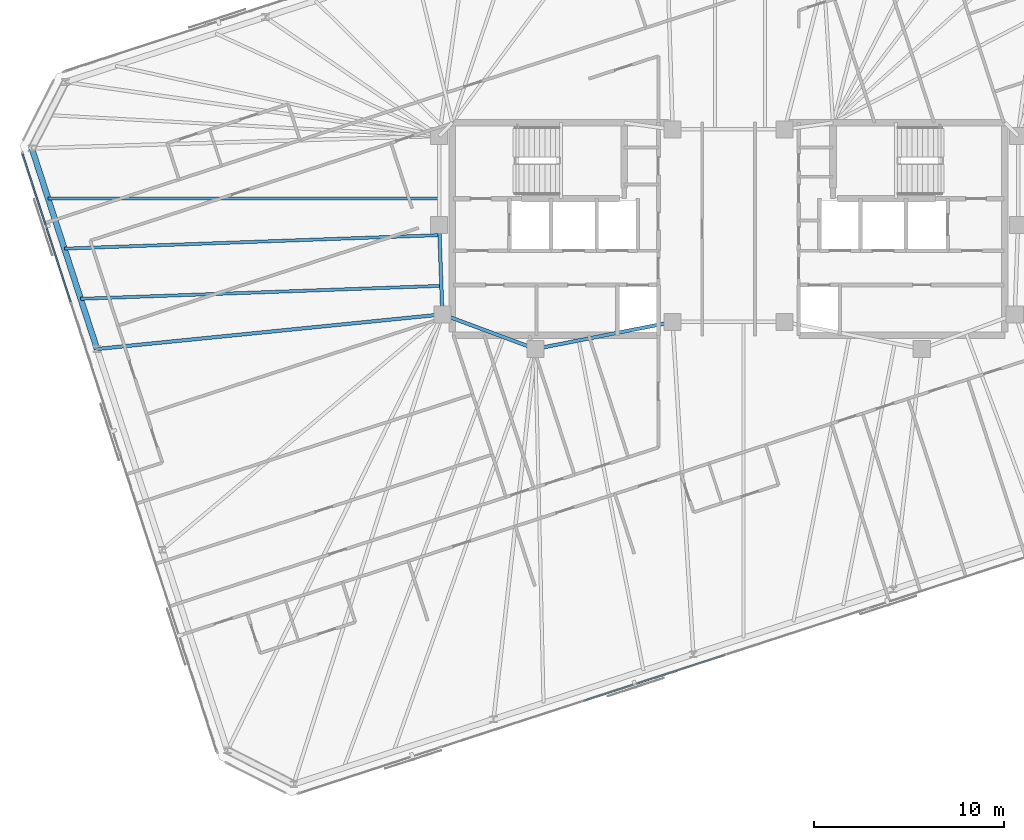
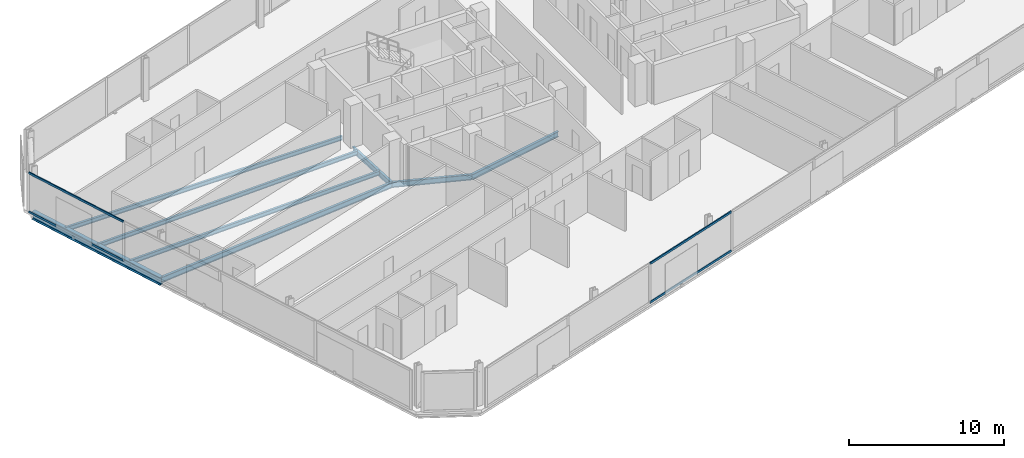
# One storey, part 6 of 19: 8 beams, 4 members, 2 elements without a shape of their own.
"""IFC4 building model written with IfcOpenShell, lengths in metres."""

from ifc_helpers import new_model, si_unit, direction, frame, origin, origin_2d, place, context, subcontext, project, spatial, rectangle, i_section, extrude, material, material_profile, profile_set, type_object, element, aggregate, save


model = new_model("IFC4")

# Units and contexts
model_context = context("Model", 3, precision=1e-05, world=origin(), true_north=direction((0.0, 1.0)))
body_context = subcontext(model_context, "Body", "Model", "MODEL_VIEW")
ifc_project = project(units=[si_unit("LENGTHUNIT", "METRE"), si_unit("AREAUNIT", "SQUARE_METRE"), si_unit("VOLUMEUNIT", "CUBIC_METRE"), si_unit("PLANEANGLEUNIT", "RADIAN"), si_unit("MASSUNIT", "GRAM", prefix="KILO")], contexts=[model_context])

# Site, building, storey
site_placement = place(None, origin())
site = spatial("IfcSite", under=ifc_project, at=site_placement, CompositionType="ELEMENT")
building_placement = place(site_placement, origin())
building = spatial("IfcBuilding", under=site, at=building_placement, Name="Menara Jurai Vektor", CompositionType="ELEMENT")
storey_placement = place(building_placement, frame((0.0, 0.0, 234.35009765625)))
storey = spatial("IfcBuildingStorey", under=building, at=storey_placement, Name="L62", CompositionType="ELEMENT", Elevation=234.35009765625)

# Curtain wall, members
ifc_material_1 = material(Name="Anodised Pale Aluminium & Low-E Double Glazing", Category="aluminium")
curtain_wall_type = type_object("IfcCurtainWallType", Name="CW-BLK4", PredefinedType="NOTDEFINED", material=ifc_material_1)
curtain_wall_1_placement = place(storey_placement, origin())
curtain_wall_1 = element("IfcCurtainWall", 1, at=curtain_wall_1_placement, inside=storey, type_object=curtain_wall_type, Name="Unitised Curtain Wall L62 F01", PredefinedType="NOTDEFINED")
ifc_material_2 = material(Name="Anodised Pale Aluminium Transom", Category="aluminium")
ifc_material_profile_1 = material_profile(ifc_material_2, rectangle(XDim=0.080078125, YDim=0.1650390625, at=origin_2d()), Name="ALU TRN 80x165")
ifc_profile_set_1 = profile_set([ifc_material_profile_1], Name="Anodised Pale Aluminium Transom")
member_type = type_object("IfcMemberType", Name="CW-BLK4-TRN", PredefinedType="USERDEFINED", material=ifc_profile_set_1)
member_1_placement = place(storey_placement, frame((-7.639404296875, -24.86669921875, 0.039794921875), z_axis=(0.951059330237, 0.309008333817, 0.0), x_axis=(-0.309008333817, 0.951059330237, 0.0)))
member_1 = element("IfcMember", 2, at=member_1_placement, type_object=member_type, Name="CW-04 transom 3.1", ObjectType="TRANSOM", PredefinedType="USERDEFINED", context=body_context, shape_type="SweptSolid", body=[
    extrude(rectangle(XDim=0.080078125, YDim=0.1650390625, at=origin_2d()), origin(), (0.0, 0.0, 1.0), 7.8115234375),
])
member_2_placement = place(storey_placement, frame((-7.639404296875, -24.86669921875, 3.0849609375), z_axis=(0.951059330237, 0.309008333817, 0.0), x_axis=(-0.309008333817, 0.951059330237, 0.0)))
member_2 = element("IfcMember", 3, at=member_2_placement, type_object=member_type, Name="CW-04 transom 3.2", ObjectType="TRANSOM", PredefinedType="USERDEFINED", context=body_context, shape_type="SweptSolid", body=[
    extrude(rectangle(XDim=0.080078125, YDim=0.1650390625, at=origin_2d()), origin(), (0.0, 0.0, 1.0), 7.8115234375),
])
aggregate(curtain_wall_1, [member_1, member_2])

curtain_wall_2_placement = place(storey_placement, origin())
curtain_wall_2 = element("IfcCurtainWall", 4, at=curtain_wall_2_placement, inside=storey, type_object=curtain_wall_type, Name="Unitised Curtain Wall L62 F07", PredefinedType="NOTDEFINED")
member_3_placement = place(storey_placement, frame((-37.19384765625, 3.950927734375, 0.039794921875), z_axis=(0.309010577384, -0.951058601278, 0.0), x_axis=(0.951058601278, 0.309010577384, 0.0)))
member_3 = element("IfcMember", 5, at=member_3_placement, type_object=member_type, Name="CW-04 transom 1.1", ObjectType="TRANSOM", PredefinedType="USERDEFINED", context=body_context, shape_type="SweptSolid", body=[
    extrude(rectangle(XDim=0.080078125, YDim=0.1650390625, at=origin_2d()), origin(), (0.0, 0.0, 1.0), 8.18994140625),
])
member_4_placement = place(storey_placement, frame((-37.19384765625, 3.950927734375, 3.0849609375), z_axis=(0.309010577384, -0.951058601278, 0.0), x_axis=(0.951058601278, 0.309010577384, 0.0)))
member_4 = element("IfcMember", 6, at=member_4_placement, type_object=member_type, Name="CW-04 transom 1.2", ObjectType="TRANSOM", PredefinedType="USERDEFINED", context=body_context, shape_type="SweptSolid", body=[
    extrude(rectangle(XDim=0.080078125, YDim=0.1650390625, at=origin_2d()), origin(), (0.0, 0.0, 1.0), 8.18994140625),
])
aggregate(curtain_wall_2, [member_3, member_4])

# Beams
ifc_material_3 = material(Name="Steel S355", Category="steel")
ifc_material_profile_2 = material_profile(ifc_material_3, i_section(OverallWidth=0.18505859375, OverallDepth=0.429931640625, WebThickness=0.010986328125, FlangeThickness=0.01806640625, at=origin_2d()), Name="PG 430x185x76")
ifc_profile_set_2 = profile_set([ifc_material_profile_2], Name="Steel S355")
beam_type_1 = type_object("IfcBeamType", Name="STR-BM-430", PredefinedType="BEAM", material=ifc_profile_set_2)
beam_1_placement = place(storey_placement, frame((-15.080078125, -4.5, -0.440185546875), z_axis=(-0.035977314146, 0.999352606874, 0.0), x_axis=(-0.999352606874, -0.035977314146, 0.0)))
element("IfcBeam", 7, at=beam_1_placement, inside=storey, type_object=beam_type_1, Name="Core Ring Header Girder L62-CHW-W2", PredefinedType="BEAM", context=body_context, shape_type="SweptSolid", body=[
    extrude(i_section(OverallWidth=0.18505859375, OverallDepth=0.429931640625, WebThickness=0.010986328125, FlangeThickness=0.01806640625, at=origin_2d()), origin(), (0.0, 0.0, 1.0), 4.72314453125),
])
beam_2_placement = place(storey_placement, frame((-15.080078125, -4.5, -0.440185546875), z_axis=(0.937424400887, -0.348188874925, 0.0), x_axis=(0.348188874925, 0.937424400887, 0.0)))
element("IfcBeam", 8, at=beam_2_placement, inside=storey, type_object=beam_type_1, Name="Core Ring Header Girder L62-CHW-S1", PredefinedType="BEAM", context=body_context, shape_type="SweptSolid", body=[
    extrude(i_section(OverallWidth=0.18505859375, OverallDepth=0.429931640625, WebThickness=0.010986328125, FlangeThickness=0.01806640625, at=origin_2d()), origin(), (0.0, 0.0, 1.0), 5.227294921875),
])
beam_3_placement = place(storey_placement, frame((-10.179931640625, -6.320068359375, -0.440185546875), z_axis=(0.981249044334, 0.192744164614, 0.0), x_axis=(-0.192744164614, 0.981249044334, 0.0)))
element("IfcBeam", 9, at=beam_3_placement, inside=storey, type_object=beam_type_1, Name="Core Ring Header Girder L62-CHW-S2", PredefinedType="BEAM", context=body_context, shape_type="SweptSolid", body=[
    extrude(i_section(OverallWidth=0.18505859375, OverallDepth=0.429931640625, WebThickness=0.010986328125, FlangeThickness=0.01806640625, at=origin_2d()), origin(), (0.0, 0.0, 1.0), 7.3681640625),
])
beam_4_placement = place(storey_placement, frame((-33.277587890625, -6.322509765625, -0.440185546875), z_axis=(0.995022243563, 0.099653072276, 0.0), x_axis=(-0.099653072276, 0.995022243563, 0.0)))
element("IfcBeam", 10, at=beam_4_placement, inside=storey, type_object=beam_type_1, Name="Radial Floor Girder L62-W2", PredefinedType="BEAM", context=body_context, shape_type="SweptSolid", body=[
    extrude(i_section(OverallWidth=0.18505859375, OverallDepth=0.429931640625, WebThickness=0.010986328125, FlangeThickness=0.01806640625, at=origin_2d()), origin(), (0.0, 0.0, 1.0), 18.28857421875),
])
ifc_material_profile_3 = material_profile(ifc_material_3, i_section(OverallWidth=0.1650390625, OverallDepth=0.330078125, WebThickness=0.009033203125, FlangeThickness=0.013916015625, at=origin_2d()), Name="PG 330x165x46")
ifc_profile_set_3 = profile_set([ifc_material_profile_3], Name="Steel S355")
beam_type_2 = type_object("IfcBeamType", Name="STR-JS-330", PredefinedType="JOIST", material=ifc_profile_set_3)
beam_5_placement = place(storey_placement, frame((-35.8544921875, 1.6083984375, -0.39013671875), z_axis=(1.0, 0.0, 0.0), x_axis=(0.0, 1.0, 0.0)))
element("IfcBeam", 11, at=beam_5_placement, inside=storey, type_object=beam_type_2, Name="Radial Secondary Floor Joist L62-JS28", PredefinedType="JOIST", context=body_context, shape_type="SweptSolid", body=[
    extrude(i_section(OverallWidth=0.1650390625, OverallDepth=0.330078125, WebThickness=0.009033203125, FlangeThickness=0.013916015625, at=origin_2d()), origin(), (0.0, 0.0, 1.0), 20.6044921875),
])
beam_6_placement = place(storey_placement, frame((-34.99560546875, -1.03515625, -0.39013671875), z_axis=(0.999351957959, 0.035995334734, 0.0), x_axis=(-0.035995334734, 0.999351957959, 0.0)))
element("IfcBeam", 12, at=beam_6_placement, inside=storey, type_object=beam_type_2, Name="Radial Secondary Floor Joist L62-JS29", PredefinedType="JOIST", context=body_context, shape_type="SweptSolid", body=[
    extrude(i_section(OverallWidth=0.1650390625, OverallDepth=0.330078125, WebThickness=0.009033203125, FlangeThickness=0.013916015625, at=origin_2d()), origin(), (0.0, 0.0, 1.0), 19.77783203125),
])
beam_7_placement = place(storey_placement, frame((-34.136474609375, -3.6787109375, -0.39013671875), z_axis=(0.999352161922, 0.035989671603, 0.0), x_axis=(-0.035989671603, 0.999352161922, 0.0)))
element("IfcBeam", 13, at=beam_7_placement, inside=storey, type_object=beam_type_2, Name="Radial Secondary Floor Joist L62-JS30", PredefinedType="JOIST", context=body_context, shape_type="SweptSolid", body=[
    extrude(i_section(OverallWidth=0.1650390625, OverallDepth=0.330078125, WebThickness=0.009033203125, FlangeThickness=0.013916015625, at=origin_2d()), origin(), (0.0, 0.0, 1.0), 19.014404296875),
])
ifc_material_profile_4 = material_profile(ifc_material_3, i_section(OverallWidth=0.306884765625, OverallDepth=0.6201171875, WebThickness=0.013916015625, FlangeThickness=0.02392578125, FilletRadius=0.01708984375, at=origin_2d()), Name="UKB 610x305x179")
ifc_profile_set_4 = profile_set([ifc_material_profile_4], Name="Steel S355")
beam_type_3 = type_object("IfcBeamType", Name="STR-SP-610", PredefinedType="SPANDREL", material=ifc_profile_set_4)
beam_8_placement = place(storey_placement, frame((-36.71337890625, 4.251953125, -0.53515625), z_axis=(0.309012092614, -0.95105810896, 0.0), x_axis=(0.95105810896, 0.309012092614, 0.0)))
element("IfcBeam", 14, at=beam_8_placement, inside=storey, type_object=beam_type_3, Name="Exoskeleton Spandrel Beam L62-17", PredefinedType="SPANDREL", context=body_context, shape_type="SweptSolid", body=[
    extrude(i_section(OverallWidth=0.306884765625, OverallDepth=0.6201171875, WebThickness=0.013916015625, FlangeThickness=0.02392578125, FilletRadius=0.01708984375, at=origin_2d()), origin(), (0.0, 0.0, 1.0), 11.11865234375),
])

save(model, "model.ifc")
